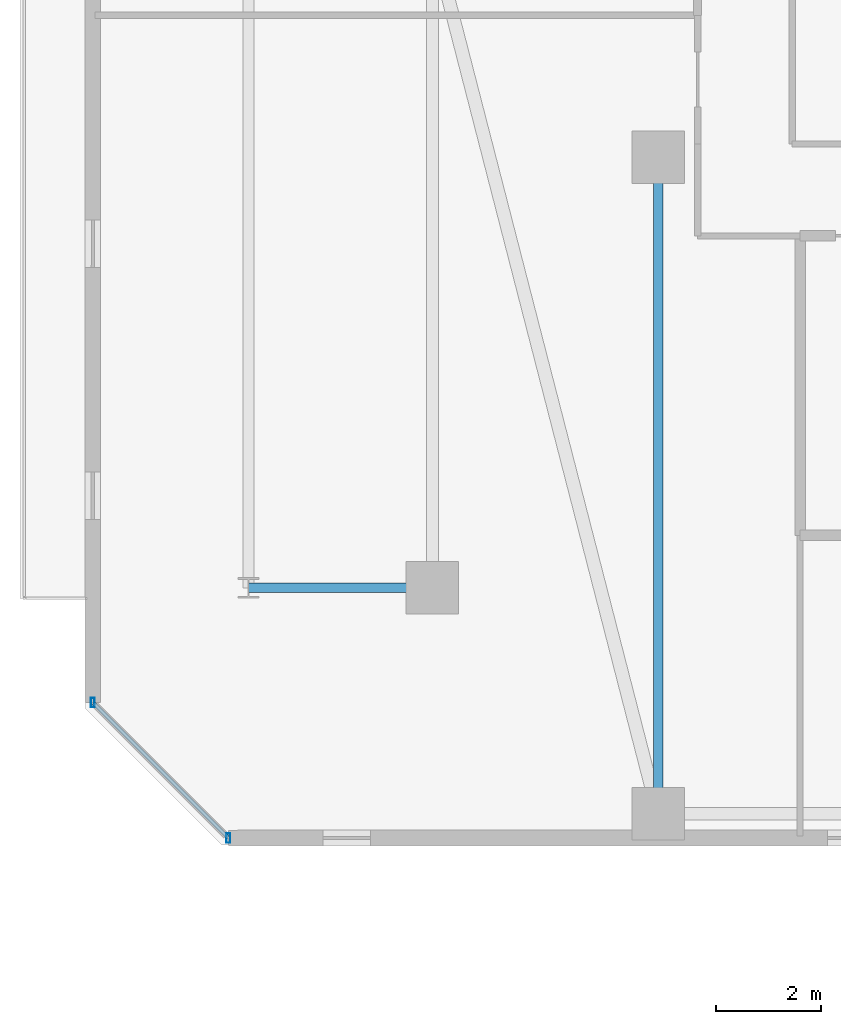
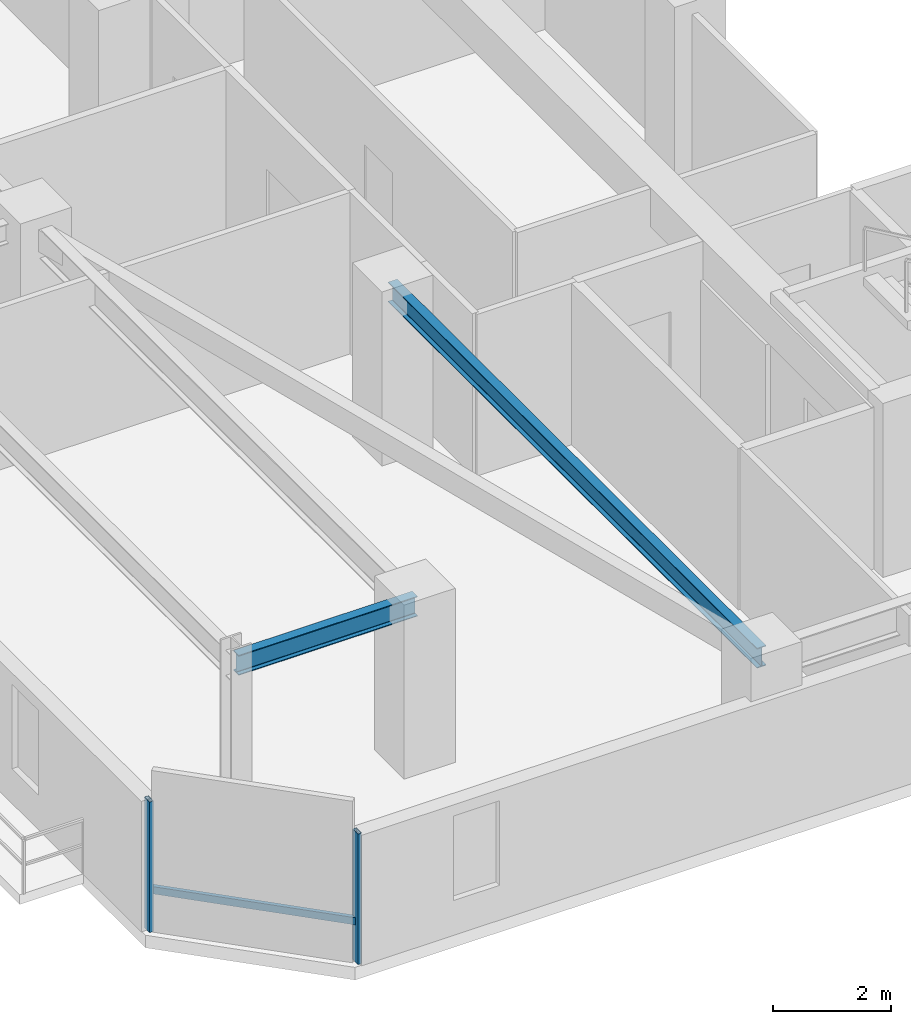
# One storey, part 3 of 33: 3 members, 2 beams, 1 element without a shape of its own.
"""IFC4 building model written with IfcOpenShell, lengths in metres."""

from ifc_helpers import new_model, si_unit, direction, frame, origin, origin_2d, place, context, subcontext, project, spatial, hollow_rectangle, i_section, extrude, material, material_profile, profile_set, type_object, element, aggregate, save


model = new_model("IFC4")

# Units and contexts
model_context = context("Model", 3, precision=1e-05, world=origin(), true_north=direction((0.0, 1.0)))
body_context = subcontext(model_context, "Body", "Model", "MODEL_VIEW")
ifc_project = project(units=[si_unit("LENGTHUNIT", "METRE"), si_unit("AREAUNIT", "SQUARE_METRE"), si_unit("VOLUMEUNIT", "CUBIC_METRE"), si_unit("PLANEANGLEUNIT", "RADIAN"), si_unit("MASSUNIT", "GRAM", prefix="KILO")], contexts=[model_context])

# Site, building, storey
site_placement = place(None, origin())
site = spatial("IfcSite", under=ifc_project, at=site_placement, CompositionType="ELEMENT")
building_placement = place(site_placement, origin())
building = spatial("IfcBuilding", under=site, at=building_placement, Name="Thornwick Lancets Civic Towers", CompositionType="ELEMENT")
storey_placement = place(building_placement, frame((0.0, 0.0, 203.699951171875)))
storey = spatial("IfcBuildingStorey", under=building, at=storey_placement, Name="L54", CompositionType="ELEMENT", Elevation=203.699951171875)

# Beams
ifc_material_1 = material(Name="Steel S355JR", Category="steel")
ifc_material_profile_1 = material_profile(ifc_material_1, i_section(OverallWidth=0.179443359375, OverallDepth=0.412841796875, WebThickness=0.009521484375, FlangeThickness=0.01611328125, FilletRadius=0.01025390625, at=origin_2d()), Name="UKB 406x178x74")
ifc_profile_set_1 = profile_set([ifc_material_profile_1], Name="Steel S355JR")
beam_type = type_object("IfcBeamType", Name="BM_JOIST_406_74", PredefinedType="JOIST", material=ifc_profile_set_1)
beam_1_placement = place(storey_placement, frame((12.5, 22.199951171875, 3.153564453125), z_axis=(0.0, -1.0, 0.0), x_axis=(1.0, 0.0, 0.0)))
element("IfcBeam", 1, at=beam_1_placement, inside=storey, type_object=beam_type, Name="BM-RADIN-L54-A01", PredefinedType="JOIST", context=body_context, shape_type="SweptSolid", body=[
    extrude(i_section(OverallWidth=0.179443359375, OverallDepth=0.412841796875, WebThickness=0.009521484375, FlangeThickness=0.01611328125, FilletRadius=0.01025390625, at=origin_2d()), origin(), (0.0, 0.0, 1.0), 12.5),
])
beam_2_placement = place(storey_placement, frame((8.199951171875, 14.0, 3.153564453125), z_axis=(-1.0, 0.0, 0.0), x_axis=(0.0, -1.0, 0.0)))
element("IfcBeam", 2, at=beam_2_placement, inside=storey, type_object=beam_type, Name="BM-RAD-L54-A10", PredefinedType="JOIST", context=body_context, shape_type="SweptSolid", body=[
    extrude(i_section(OverallWidth=0.179443359375, OverallDepth=0.412841796875, WebThickness=0.009521484375, FlangeThickness=0.01611328125, FilletRadius=0.01025390625, at=origin_2d()), origin(), (0.0, 0.0, 1.0), 3.5),
])

# Curtain wall, members
ifc_material_2 = material(Name="High-zone chamfered-corner unitised glass curtain wall", Category="glass")
curtain_wall_type = type_object("IfcCurtainWallType", Name="CW_SYS_05", PredefinedType="NOTDEFINED", material=ifc_material_2)
curtain_wall_placement = place(storey_placement, origin())
curtain_wall = element("IfcCurtainWall", 3, at=curtain_wall_placement, inside=storey, type_object=curtain_wall_type, Name="L54 Curtain Wall CW-L54-A-E7", PredefinedType="NOTDEFINED")
ifc_material_3 = material(Name="Thermally broken bronze aluminium S355", Category="steel")
ifc_material_profile_2 = material_profile(ifc_material_3, hollow_rectangle(XDim=0.074951171875, YDim=0.179931640625, WallThickness=0.006103515625, at=origin_2d()), Name="RHS 180x75x6")
ifc_profile_set_2 = profile_set([ifc_material_profile_2], Name="Thermally broken bronze aluminium S355")
member_type_1 = type_object("IfcMemberType", Name="CW_MUL_180", PredefinedType="MULLION", material=ifc_profile_set_2)
member_1_placement = place(storey_placement, frame((1.7353515625, 11.818603515625, 0.0), z_axis=(0.0, 0.0, 1.0), x_axis=(1.0, 0.0, 0.0)))
member_1 = element("IfcMember", 4, at=member_1_placement, type_object=member_type_1, Name="CW-L54-A-E7 Mullion 0", PredefinedType="MULLION", context=body_context, shape_type="SweptSolid", body=[
    extrude(hollow_rectangle(XDim=0.074951171875, YDim=0.179931640625, WallThickness=0.006103515625, at=origin_2d()), origin(), (0.0, 0.0, 1.0), 2.699951171875),
])
member_2_placement = place(storey_placement, frame((4.318603515625, 9.2353515625, 0.0), z_axis=(0.0, 0.0, 1.0), x_axis=(1.0, 0.0, 0.0)))
member_2 = element("IfcMember", 5, at=member_2_placement, type_object=member_type_1, Name="CW-L54-A-E7 Mullion 1", PredefinedType="MULLION", context=body_context, shape_type="SweptSolid", body=[
    extrude(hollow_rectangle(XDim=0.074951171875, YDim=0.179931640625, WallThickness=0.006103515625, at=origin_2d()), origin(), (0.0, 0.0, 1.0), 2.699951171875),
])
ifc_material_profile_3 = material_profile(ifc_material_3, hollow_rectangle(XDim=0.074951171875, YDim=0.14990234375, WallThickness=0.0048828125, at=origin_2d()), Name="RHS 150x75x5")
ifc_profile_set_3 = profile_set([ifc_material_profile_3], Name="Thermally broken bronze aluminium S355")
member_type_2 = type_object("IfcMemberType", Name="CW_TRN_150", PredefinedType="USERDEFINED", material=ifc_profile_set_3)
member_3_placement = place(storey_placement, frame((1.74951171875, 11.804443359375, 0.85009765625), z_axis=(0.707106781187, -0.707106781187, 0.0), x_axis=(0.707106781187, 0.707106781187, 0.0)))
member_3 = element("IfcMember", 6, at=member_3_placement, type_object=member_type_2, Name="CW-L54-A-E7 Transom 0", ObjectType="TRANSOM", PredefinedType="USERDEFINED", context=body_context, shape_type="SweptSolid", body=[
    extrude(hollow_rectangle(XDim=0.074951171875, YDim=0.14990234375, WallThickness=0.0048828125, at=origin_2d()), origin(), (0.0, 0.0, 1.0), 3.61328125),
])
aggregate(curtain_wall, [member_1, member_2, member_3])

save(model, "model.ifc")
